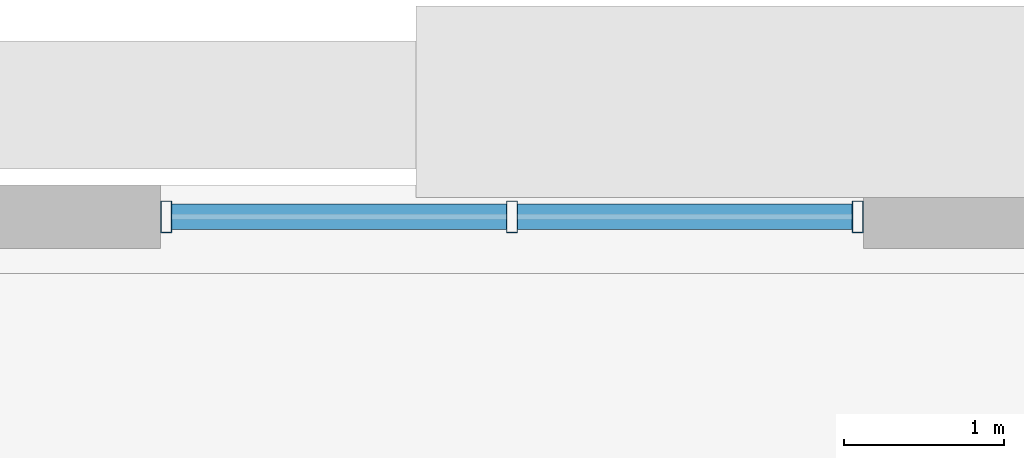
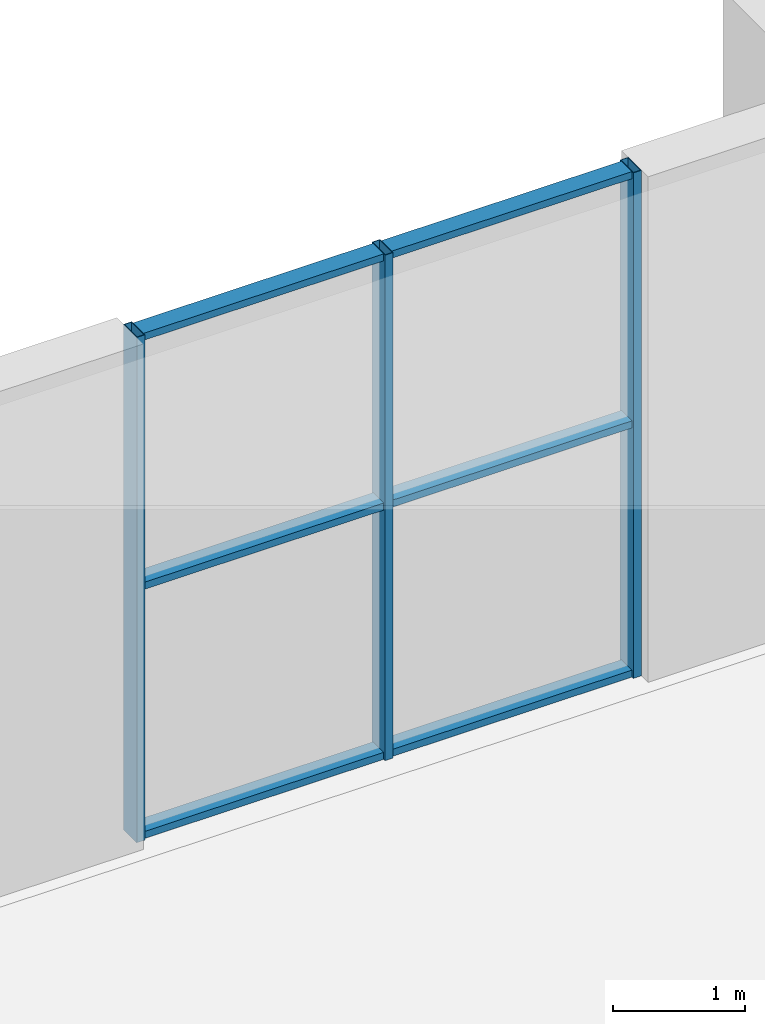
# One storey, part 4 of 15: 9 members, 1 element without a shape of its own.
"""IFC4 building model written with IfcOpenShell, lengths in metres."""

from ifc_helpers import new_model, si_unit, direction, frame, origin, origin_2d, place, context, subcontext, project, spatial, hollow_rectangle, extrude, source, transform, mapped, material, layer, layer_set, material_profile, profile_set, type_object, element, aggregate, save


model = new_model("IFC4")

# Units and contexts
model_context = context("Model", 3, precision=1e-05, world=origin(), true_north=direction((0.0, 1.0)))
body_context = subcontext(model_context, "Body", "Model", "MODEL_VIEW")
ifc_project = project(units=[si_unit("LENGTHUNIT", "METRE"), si_unit("AREAUNIT", "SQUARE_METRE"), si_unit("VOLUMEUNIT", "CUBIC_METRE"), si_unit("PLANEANGLEUNIT", "RADIAN"), si_unit("MASSUNIT", "GRAM", prefix="KILO"), si_unit("THERMODYNAMICTEMPERATUREUNIT", "KELVIN")], contexts=[model_context])

# Site, building, storey
site_placement = place(None, origin())
site = spatial("IfcSite", under=ifc_project, at=site_placement, CompositionType="ELEMENT")
building_placement = place(site_placement, origin())
building = spatial("IfcBuilding", under=site, at=building_placement, Name="Kosmvard Interchange Tower", CompositionType="ELEMENT")
storey_placement = place(building_placement, frame((0.0, 0.0, 11.0)))
storey = spatial("IfcBuildingStorey", under=building, at=storey_placement, Name="L02", CompositionType="ELEMENT", Elevation=11.0)

# Curtain wall, members
ifc_material = material(Name="Architectural anodised aluminium", Category="aluminium")
ifc_layer = layer(ifc_material, 0.199951171875, Name="Architectural anodised aluminium")
ifc_layer_set = layer_set([ifc_layer], Name="Architectural anodised aluminium")
curtain_wall_type = type_object("IfcCurtainWallType", Name="CW-2 Cascade Terrace Hall Curtain Wall", PredefinedType="NOTDEFINED", material=ifc_layer_set)
curtain_wall_placement = place(storey_placement, origin())
curtain_wall = element("IfcCurtainWall", 1, at=curtain_wall_placement, inside=storey, type_object=curtain_wall_type, Name="L02 North Terrace Hall Curtain Wall", PredefinedType="NOTDEFINED")
ifc_material_profile_1 = material_profile(ifc_material, hollow_rectangle(XDim=0.199951171875, YDim=0.070068359375, WallThickness=0.0048828125, at=origin_2d()), Name="CWM 200x70x5")
ifc_profile_set_1 = profile_set([ifc_material_profile_1], Name="Architectural anodised aluminium")
member_type_1 = type_object("IfcMemberType", Name="Terrace CW Mullion 200x70 Aluminium", PredefinedType="MULLION", material=ifc_profile_set_1)
shared_shape_1 = source(origin(), body_context, "Body", "SweptSolid", [
    extrude(hollow_rectangle(XDim=0.199951171875, YDim=0.070068359375, WallThickness=0.0048828125, at=origin_2d()), origin(), (0.0, 0.0, 1.0), 4.659912109375),
])
member_1_placement = place(storey_placement, frame((-6.364990234375, 24.800048828125, 0.0), z_axis=(0.0, 0.0, 1.0), x_axis=(0.0, 1.0, 0.0)))
member_1 = element("IfcMember", 2, at=member_1_placement, type_object=member_type_1, Name="CW-2 mullion 1", PredefinedType="MULLION", context=body_context, shape_type="MappedRepresentation", body=[
    mapped(shared_shape_1, transform((0.0, 0.0, 0.0), scale=1.0)),
])
member_2_placement = place(storey_placement, frame((-4.199951171875, 24.800048828125, 0.0), z_axis=(0.0, 0.0, 1.0), x_axis=(0.0, 1.0, 0.0)))
member_2 = element("IfcMember", 3, at=member_2_placement, type_object=member_type_1, Name="CW-2 mullion 2", PredefinedType="MULLION", context=body_context, shape_type="MappedRepresentation", body=[
    mapped(shared_shape_1, transform((0.0, 0.0, 0.0), scale=1.0)),
])
member_3_placement = place(storey_placement, frame((-2.034912109375, 24.800048828125, 0.0), z_axis=(0.0, 0.0, 1.0), x_axis=(0.0, 1.0, 0.0)))
member_3 = element("IfcMember", 4, at=member_3_placement, type_object=member_type_1, Name="CW-2 mullion 3", PredefinedType="MULLION", context=body_context, shape_type="MappedRepresentation", body=[
    mapped(shared_shape_1, transform((0.0, 0.0, 0.0), scale=1.0)),
])
ifc_material_profile_2 = material_profile(ifc_material, hollow_rectangle(XDim=0.159912109375, YDim=0.06494140625, WallThickness=0.00390625, at=origin_2d()), Name="CWT 160x65x4")
ifc_profile_set_2 = profile_set([ifc_material_profile_2], Name="Architectural anodised aluminium")
member_type_2 = type_object("IfcMemberType", Name="Standard CW Transom 160x65 Aluminium", PredefinedType="USERDEFINED", material=ifc_profile_set_2)
shared_shape_2 = source(origin(), body_context, "Body", "SweptSolid", [
    extrude(hollow_rectangle(XDim=0.159912109375, YDim=0.06494140625, WallThickness=0.00390625, at=origin_2d()), origin(), (0.0, 0.0, 1.0), 2.094970703125),
])
member_4_placement = place(storey_placement, frame((-6.330078125, 24.800048828125, 0.032470703125), z_axis=(1.0, 0.0, 0.0), x_axis=(0.0, 1.0, 0.0)))
member_4 = element("IfcMember", 5, at=member_4_placement, type_object=member_type_2, Name="CW-2 transom 1.1", ObjectType="TRANSOM", PredefinedType="USERDEFINED", context=body_context, shape_type="MappedRepresentation", body=[
    mapped(shared_shape_2, transform((0.0, 0.0, 0.0), scale=1.0)),
])
member_5_placement = place(storey_placement, frame((-6.330078125, 24.800048828125, 2.330078125), z_axis=(1.0, 0.0, 0.0), x_axis=(0.0, 1.0, 0.0)))
member_5 = element("IfcMember", 6, at=member_5_placement, type_object=member_type_2, Name="CW-2 transom 1.2", ObjectType="TRANSOM", PredefinedType="USERDEFINED", context=body_context, shape_type="MappedRepresentation", body=[
    mapped(shared_shape_2, transform((0.0, 0.0, 0.0), scale=1.0)),
])
member_6_placement = place(storey_placement, frame((-6.330078125, 24.800048828125, 4.62744140625), z_axis=(1.0, 0.0, 0.0), x_axis=(0.0, 1.0, 0.0)))
member_6 = element("IfcMember", 7, at=member_6_placement, type_object=member_type_2, Name="CW-2 transom 1.3", ObjectType="TRANSOM", PredefinedType="USERDEFINED", context=body_context, shape_type="MappedRepresentation", body=[
    mapped(shared_shape_2, transform((0.0, 0.0, 0.0), scale=1.0)),
])
member_7_placement = place(storey_placement, frame((-4.1650390625, 24.800048828125, 0.032470703125), z_axis=(1.0, 0.0, 0.0), x_axis=(0.0, 1.0, 0.0)))
member_7 = element("IfcMember", 8, at=member_7_placement, type_object=member_type_2, Name="CW-2 transom 2.1", ObjectType="TRANSOM", PredefinedType="USERDEFINED", context=body_context, shape_type="MappedRepresentation", body=[
    mapped(shared_shape_2, transform((0.0, 0.0, 0.0), scale=1.0)),
])
member_8_placement = place(storey_placement, frame((-4.1650390625, 24.800048828125, 2.330078125), z_axis=(1.0, 0.0, 0.0), x_axis=(0.0, 1.0, 0.0)))
member_8 = element("IfcMember", 9, at=member_8_placement, type_object=member_type_2, Name="CW-2 transom 2.2", ObjectType="TRANSOM", PredefinedType="USERDEFINED", context=body_context, shape_type="MappedRepresentation", body=[
    mapped(shared_shape_2, transform((0.0, 0.0, 0.0), scale=1.0)),
])
member_9_placement = place(storey_placement, frame((-4.1650390625, 24.800048828125, 4.62744140625), z_axis=(1.0, 0.0, 0.0), x_axis=(0.0, 1.0, 0.0)))
member_9 = element("IfcMember", 10, at=member_9_placement, type_object=member_type_2, Name="CW-2 transom 2.3", ObjectType="TRANSOM", PredefinedType="USERDEFINED", context=body_context, shape_type="MappedRepresentation", body=[
    mapped(shared_shape_2, transform((0.0, 0.0, 0.0), scale=1.0)),
])
aggregate(curtain_wall, [member_1, member_2, member_3, member_4, member_5, member_6, member_7, member_8, member_9])

save(model, "model.ifc")
